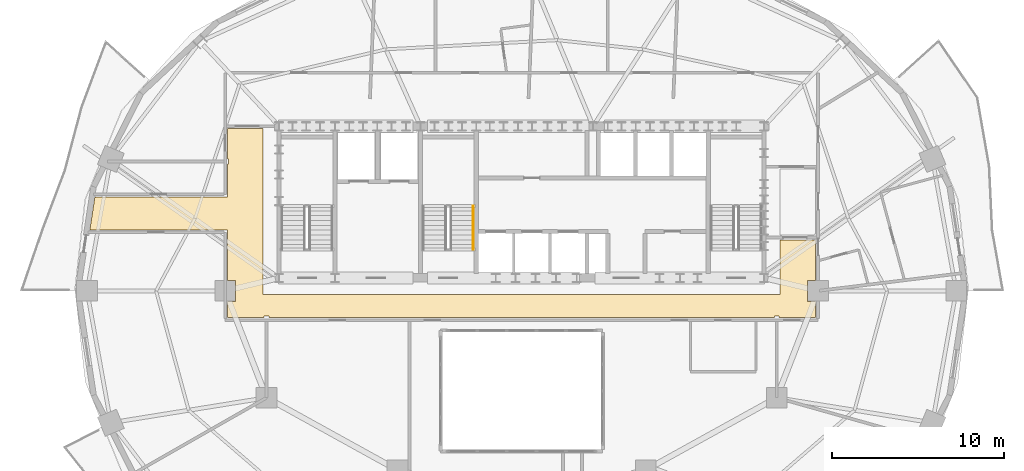
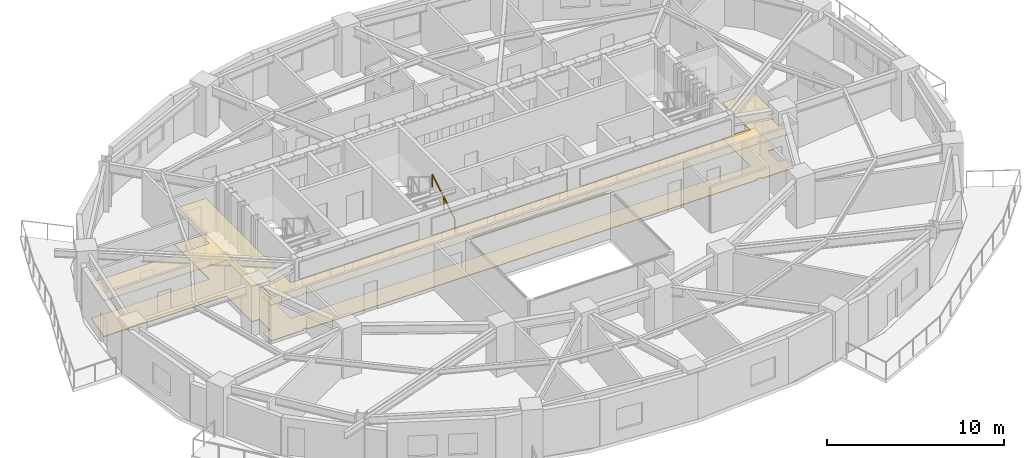
# One storey, part 11 of 13: 2 coverings, 1 railing.
"""IFC4 building model written with IfcOpenShell, lengths in metres."""

from ifc_helpers import new_model, si_unit, direction, frame, origin, origin_2d, place, context, subcontext, project, spatial, polyline, rectangle, outline, extrude, material, layer, layer_set, type_object, element, save


model = new_model("IFC4")

# Units and contexts
model_context = context("Model", 3, precision=1e-05, world=origin(), true_north=direction((0.0, 1.0)))
body_context = subcontext(model_context, "Body", "Model", "MODEL_VIEW")
ifc_project = project(units=[si_unit("LENGTHUNIT", "METRE"), si_unit("AREAUNIT", "SQUARE_METRE"), si_unit("VOLUMEUNIT", "CUBIC_METRE"), si_unit("PLANEANGLEUNIT", "RADIAN"), si_unit("MASSUNIT", "GRAM", prefix="KILO")], contexts=[model_context])

# Site, building, storey
site_placement = place(None, origin())
site = spatial("IfcSite", under=ifc_project, at=site_placement, CompositionType="ELEMENT")
building_placement = place(site_placement, origin())
building = spatial("IfcBuilding", under=site, at=building_placement, Name="Haldorwick Loom Tower", CompositionType="ELEMENT")
storey_placement = place(building_placement, frame((0.0, 0.0, 142.550048828125)))
storey = spatial("IfcBuildingStorey", under=building, at=storey_placement, Name="L38", CompositionType="ELEMENT", Elevation=142.550048828125)

# Coverings
ifc_material_1 = material(Name="Mineral Fibre Acoustic Ceiling Tile")
ifc_layer_1 = layer(ifc_material_1, 0.054931640625, Name="Mineral Fibre Acoustic Ceiling Tile")
ifc_layer_set_1 = layer_set([ifc_layer_1], Name="Mineral Fibre Acoustic Ceiling Tile")
covering_type_1 = type_object("IfcCoveringType", Name="ARC-COV-CEIL2", PredefinedType="CEILING", material=ifc_layer_set_1)
covering_1_placement = place(storey_placement, frame((0.0, 0.0, 2.4580078125)))
element("IfcCovering", 1, at=covering_1_placement, inside=storey, type_object=covering_type_1, Name="L38 Acoustic Suspended Ceiling 1", PredefinedType="CEILING", context=body_context, shape_type="SweptSolid", body=[
    extrude(outline(polyline([(10.948974609375, 29.5400390625), (18.919921875, 29.5400390625), (18.922119140625, 29.539794921875), (18.923828125, 29.53955078125), (18.92578125, 29.5390625), (18.927734375, 29.53857421875), (18.929443359375, 29.53759765625), (18.93115234375, 29.53662109375), (18.9326171875, 29.535400390625), (18.93408203125, 29.5341796875), (18.935546875, 29.53271484375), (18.9365234375, 29.531005859375), (18.9375, 29.529296875), (18.9384765625, 29.527587890625), (18.939208984375, 29.52587890625), (18.939697265625, 29.52392578125), (18.93994140625, 29.52197265625), (18.93994140625, 29.52001953125), (18.93994140625, 26.60791015625), (19.407958984375, 26.60791015625), (19.407958984375, 25.39208984375), (18.93994140625, 25.39208984375), (18.93994140625, 24.43994140625), (21.06005859375, 24.43994140625), (21.06005859375, 24.52001953125), (21.06005859375, 24.52197265625), (21.060302734375, 24.52392578125), (21.060791015625, 24.52587890625), (21.0615234375, 24.527587890625), (21.0625, 24.529296875), (21.0634765625, 24.531005859375), (21.064453125, 24.53271484375), (21.06591796875, 24.5341796875), (21.0673828125, 24.535400390625), (21.06884765625, 24.53662109375), (21.070556640625, 24.53759765625), (21.072265625, 24.53857421875), (21.07421875, 24.5390625), (21.076171875, 24.53955078125), (21.077880859375, 24.539794921875), (21.080078125, 24.5400390625), (21.320068359375, 24.5400390625), (21.322021484375, 24.539794921875), (21.323974609375, 24.53955078125), (21.32568359375, 24.5390625), (21.32763671875, 24.53857421875), (21.329345703125, 24.53759765625), (21.3310546875, 24.53662109375), (21.332763671875, 24.535400390625), (21.333984375, 24.5341796875), (21.33544921875, 24.53271484375), (21.336669921875, 24.531005859375), (21.337646484375, 24.529296875), (21.33837890625, 24.527587890625), (21.339111328125, 24.52587890625), (21.339599609375, 24.52392578125), (21.33984375, 24.52197265625), (21.340087890625, 24.52001953125), (21.340087890625, 24.43994140625), (50.659912109375, 24.43994140625), (50.659912109375, 24.52001953125), (50.66015625, 24.52197265625), (50.660400390625, 24.52392578125), (50.660888671875, 24.52587890625), (50.66162109375, 24.527587890625), (50.662353515625, 24.529296875), (50.663330078125, 24.531005859375), (50.66455078125, 24.53271484375), (50.666015625, 24.5341796875), (50.667236328125, 24.535400390625), (50.6689453125, 24.53662109375), (50.670654296875, 24.53759765625), (50.67236328125, 24.53857421875), (50.67431640625, 24.5390625), (50.676025390625, 24.53955078125), (50.677978515625, 24.539794921875), (50.679931640625, 24.5400390625), (50.919921875, 24.5400390625), (50.922119140625, 24.539794921875), (50.923828125, 24.53955078125), (50.92578125, 24.5390625), (50.927734375, 24.53857421875), (50.929443359375, 24.53759765625), (50.93115234375, 24.53662109375), (50.9326171875, 24.535400390625), (50.93408203125, 24.5341796875), (50.935546875, 24.53271484375), (50.9365234375, 24.531005859375), (50.9375, 24.529296875), (50.9384765625, 24.527587890625), (50.939208984375, 24.52587890625), (50.939697265625, 24.52392578125), (50.93994140625, 24.52197265625), (50.93994140625, 24.52001953125), (50.93994140625, 24.43994140625), (53.06005859375, 24.43994140625), (53.06005859375, 25.39208984375), (52.592041015625, 25.39208984375), (52.592041015625, 26.60791015625), (53.06005859375, 26.60791015625), (53.06005859375, 28.9599609375), (51.0, 28.9599609375), (51.0, 25.800048828125), (21.0, 25.800048828125), (21.0, 35.409912109375), (18.93994140625, 35.409912109375), (18.93994140625, 33.639892578125), (18.969970703125, 33.639892578125), (18.971923828125, 33.639892578125), (18.973876953125, 33.6396484375), (18.975830078125, 33.63916015625), (18.977783203125, 33.638427734375), (18.9794921875, 33.6376953125), (18.981201171875, 33.63671875), (18.982666015625, 33.635498046875), (18.984130859375, 33.634033203125), (18.985595703125, 33.6328125), (18.986572265625, 33.631103515625), (18.987548828125, 33.62939453125), (18.988525390625, 33.627685546875), (18.989013671875, 33.625732421875), (18.989501953125, 33.623779296875), (18.989990234375, 33.6220703125), (18.989990234375, 33.6201171875), (18.989990234375, 33.3798828125), (18.989990234375, 33.3779296875), (18.989501953125, 33.376220703125), (18.989013671875, 33.374267578125), (18.988525390625, 33.372314453125), (18.987548828125, 33.37060546875), (18.986572265625, 33.368896484375), (18.985595703125, 33.3671875), (18.984130859375, 33.365966796875), (18.982666015625, 33.364501953125), (18.981201171875, 33.36328125), (18.9794921875, 33.3623046875), (18.977783203125, 33.361572265625), (18.975830078125, 33.36083984375), (18.973876953125, 33.3603515625), (18.971923828125, 33.360107421875), (18.969970703125, 33.360107421875), (18.93994140625, 33.360107421875), (18.93994140625, 31.47998046875), (18.93994140625, 31.47802734375), (18.939697265625, 31.47607421875), (18.939208984375, 31.47412109375), (18.9384765625, 31.472412109375), (18.9375, 31.470703125), (18.9365234375, 31.468994140625), (18.935546875, 31.46728515625), (18.93408203125, 31.4658203125), (18.9326171875, 31.464599609375), (18.93115234375, 31.46337890625), (18.929443359375, 31.46240234375), (18.927734375, 31.46142578125), (18.92578125, 31.4609375), (18.923828125, 31.46044921875), (18.922119140625, 31.460205078125), (18.919921875, 31.4599609375), (11.241455078125, 31.4599609375), (10.948974609375, 29.5400390625)])), origin(), (0.0, 0.0, 1.0), 0.054931640625),
])
ifc_material_2 = material(Name="Polished Aggregate Terrazzo Finish")
ifc_layer_2 = layer(ifc_material_2, 0.044921875, Name="Polished Aggregate Terrazzo Finish")
ifc_layer_set_2 = layer_set([ifc_layer_2], Name="Polished Aggregate Terrazzo Finish")
covering_type_2 = type_object("IfcCoveringType", Name="ARC-COV-FLOOR2", PredefinedType="FLOORING", material=ifc_layer_set_2)
covering_2_placement = place(storey_placement, origin())
element("IfcCovering", 2, at=covering_2_placement, inside=storey, type_object=covering_type_2, Name="L38 Floor Finish 1", PredefinedType="FLOORING", context=body_context, shape_type="SweptSolid", body=[
    extrude(outline(polyline([(10.948974609375, 29.5400390625), (18.919921875, 29.5400390625), (18.922119140625, 29.539794921875), (18.923828125, 29.53955078125), (18.92578125, 29.5390625), (18.927734375, 29.53857421875), (18.929443359375, 29.53759765625), (18.93115234375, 29.53662109375), (18.9326171875, 29.535400390625), (18.93408203125, 29.5341796875), (18.935546875, 29.53271484375), (18.9365234375, 29.531005859375), (18.9375, 29.529296875), (18.9384765625, 29.527587890625), (18.939208984375, 29.52587890625), (18.939697265625, 29.52392578125), (18.93994140625, 29.52197265625), (18.93994140625, 29.52001953125), (18.93994140625, 26.60791015625), (19.407958984375, 26.60791015625), (19.407958984375, 25.39208984375), (18.93994140625, 25.39208984375), (18.93994140625, 24.43994140625), (21.06005859375, 24.43994140625), (21.06005859375, 24.52001953125), (21.06005859375, 24.52197265625), (21.060302734375, 24.52392578125), (21.060791015625, 24.52587890625), (21.0615234375, 24.527587890625), (21.0625, 24.529296875), (21.0634765625, 24.531005859375), (21.064453125, 24.53271484375), (21.06591796875, 24.5341796875), (21.0673828125, 24.535400390625), (21.06884765625, 24.53662109375), (21.070556640625, 24.53759765625), (21.072265625, 24.53857421875), (21.07421875, 24.5390625), (21.076171875, 24.53955078125), (21.077880859375, 24.539794921875), (21.080078125, 24.5400390625), (21.320068359375, 24.5400390625), (21.322021484375, 24.539794921875), (21.323974609375, 24.53955078125), (21.32568359375, 24.5390625), (21.32763671875, 24.53857421875), (21.329345703125, 24.53759765625), (21.3310546875, 24.53662109375), (21.332763671875, 24.535400390625), (21.333984375, 24.5341796875), (21.33544921875, 24.53271484375), (21.336669921875, 24.531005859375), (21.337646484375, 24.529296875), (21.33837890625, 24.527587890625), (21.339111328125, 24.52587890625), (21.339599609375, 24.52392578125), (21.33984375, 24.52197265625), (21.340087890625, 24.52001953125), (21.340087890625, 24.43994140625), (50.659912109375, 24.43994140625), (50.659912109375, 24.52001953125), (50.66015625, 24.52197265625), (50.660400390625, 24.52392578125), (50.660888671875, 24.52587890625), (50.66162109375, 24.527587890625), (50.662353515625, 24.529296875), (50.663330078125, 24.531005859375), (50.66455078125, 24.53271484375), (50.666015625, 24.5341796875), (50.667236328125, 24.535400390625), (50.6689453125, 24.53662109375), (50.670654296875, 24.53759765625), (50.67236328125, 24.53857421875), (50.67431640625, 24.5390625), (50.676025390625, 24.53955078125), (50.677978515625, 24.539794921875), (50.679931640625, 24.5400390625), (50.919921875, 24.5400390625), (50.922119140625, 24.539794921875), (50.923828125, 24.53955078125), (50.92578125, 24.5390625), (50.927734375, 24.53857421875), (50.929443359375, 24.53759765625), (50.93115234375, 24.53662109375), (50.9326171875, 24.535400390625), (50.93408203125, 24.5341796875), (50.935546875, 24.53271484375), (50.9365234375, 24.531005859375), (50.9375, 24.529296875), (50.9384765625, 24.527587890625), (50.939208984375, 24.52587890625), (50.939697265625, 24.52392578125), (50.93994140625, 24.52197265625), (50.93994140625, 24.52001953125), (50.93994140625, 24.43994140625), (53.06005859375, 24.43994140625), (53.06005859375, 25.39208984375), (52.592041015625, 25.39208984375), (52.592041015625, 26.60791015625), (53.06005859375, 26.60791015625), (53.06005859375, 28.9599609375), (51.0, 28.9599609375), (51.0, 25.800048828125), (21.0, 25.800048828125), (21.0, 35.409912109375), (18.93994140625, 35.409912109375), (18.93994140625, 33.639892578125), (18.969970703125, 33.639892578125), (18.971923828125, 33.639892578125), (18.973876953125, 33.6396484375), (18.975830078125, 33.63916015625), (18.977783203125, 33.638427734375), (18.9794921875, 33.6376953125), (18.981201171875, 33.63671875), (18.982666015625, 33.635498046875), (18.984130859375, 33.634033203125), (18.985595703125, 33.6328125), (18.986572265625, 33.631103515625), (18.987548828125, 33.62939453125), (18.988525390625, 33.627685546875), (18.989013671875, 33.625732421875), (18.989501953125, 33.623779296875), (18.989990234375, 33.6220703125), (18.989990234375, 33.6201171875), (18.989990234375, 33.3798828125), (18.989990234375, 33.3779296875), (18.989501953125, 33.376220703125), (18.989013671875, 33.374267578125), (18.988525390625, 33.372314453125), (18.987548828125, 33.37060546875), (18.986572265625, 33.368896484375), (18.985595703125, 33.3671875), (18.984130859375, 33.365966796875), (18.982666015625, 33.364501953125), (18.981201171875, 33.36328125), (18.9794921875, 33.3623046875), (18.977783203125, 33.361572265625), (18.975830078125, 33.36083984375), (18.973876953125, 33.3603515625), (18.971923828125, 33.360107421875), (18.969970703125, 33.360107421875), (18.93994140625, 33.360107421875), (18.93994140625, 31.47998046875), (18.93994140625, 31.47802734375), (18.939697265625, 31.47607421875), (18.939208984375, 31.47412109375), (18.9384765625, 31.472412109375), (18.9375, 31.470703125), (18.9365234375, 31.468994140625), (18.935546875, 31.46728515625), (18.93408203125, 31.4658203125), (18.9326171875, 31.464599609375), (18.93115234375, 31.46337890625), (18.929443359375, 31.46240234375), (18.927734375, 31.46142578125), (18.92578125, 31.4609375), (18.923828125, 31.46044921875), (18.922119140625, 31.460205078125), (18.919921875, 31.4599609375), (11.241455078125, 31.4599609375), (10.948974609375, 29.5400390625)])), origin(), (0.0, 0.0, 1.0), 0.044921875),
])

# Railing
ifc_material_3 = material(Name="Steel CSA G40.21 350W", Category="steel")
railing_type = type_object("IfcRailingType", Name="ARC-RLG-HAND092", PredefinedType="HANDRAIL", material=ifc_material_3)
railing_placement = place(storey_placement, frame((33.199951171875, 28.39990234375, 0.17236328125)))
element("IfcRailing", 3, at=railing_placement, inside=storey, type_object=railing_type, Name="L38 ST-03 stair handrail 1", PredefinedType="HANDRAIL", context=body_context, shape_type="SweptSolid", body=[
    extrude(rectangle(XDim=0.048095703125, YDim=0.048095703125, at=origin_2d()), frame((0.0, 0.0, 0.8759765625), z_axis=(0.0, 0.851400495292, 0.524516154772), x_axis=(-1.0, 0.0, 0.0)), (0.0, 0.0, 1.0), 2.9599609375),
    extrude(rectangle(XDim=0.0419921875, YDim=0.0419921875, at=origin_2d()), origin(), (0.0, 0.0, 1.0), 0.851806640625),
    extrude(rectangle(XDim=0.0419921875, YDim=0.0419921875, at=origin_2d()), frame((0.0, 1.260009765625, 0.7763671875)), (0.0, 0.0, 1.0), 0.851806640625),
    extrude(rectangle(XDim=0.0419921875, YDim=0.0419921875, at=origin_2d()), frame((0.0, 2.52001953125, 1.552490234375)), (0.0, 0.0, 1.0), 0.851806640625),
])

save(model, "model.ifc")
